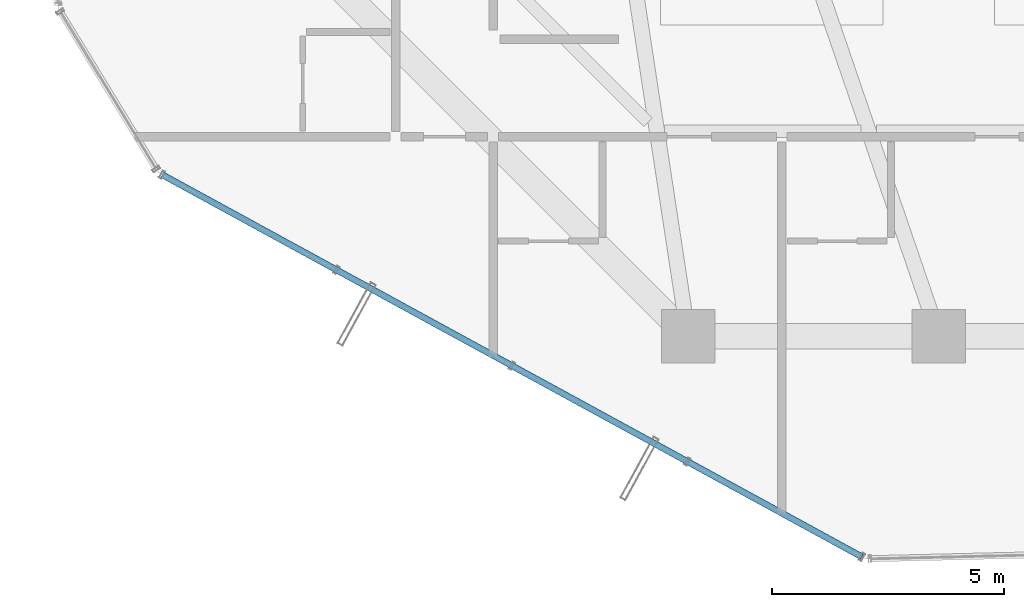
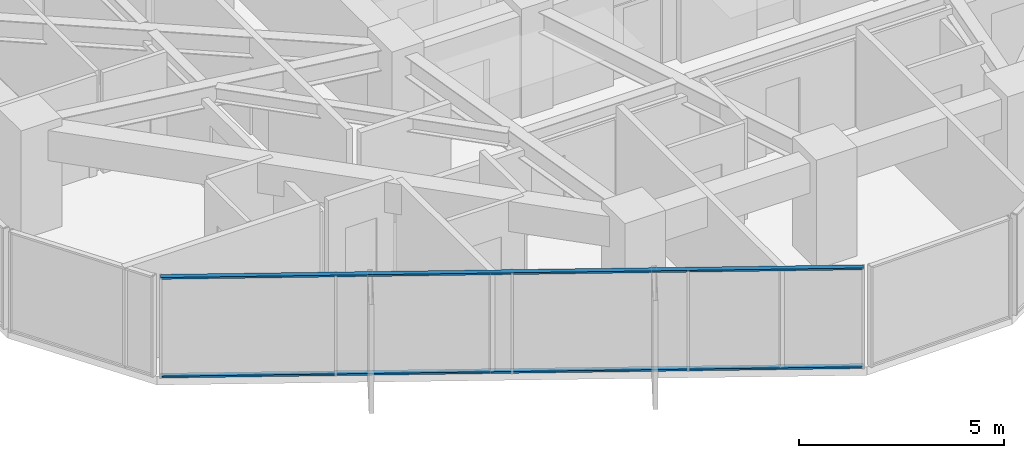
# One storey, part 3 of 31: 2 members, 1 element without a shape of its own.
"""IFC4 building model written with IfcOpenShell, lengths in metres."""

from ifc_helpers import new_model, si_unit, direction, frame, origin, origin_2d, place, context, subcontext, project, spatial, hollow_rectangle, extrude, source, transform, mapped, material, layer, layer_set, material_profile, profile_set, type_object, element, aggregate, save


model = new_model("IFC4")

# Units and contexts
model_context = context("Model", 3, precision=1e-05, world=origin(), true_north=direction((0.0, 1.0)))
body_context = subcontext(model_context, "Body", "Model", "MODEL_VIEW")
ifc_project = project(units=[si_unit("LENGTHUNIT", "METRE"), si_unit("AREAUNIT", "SQUARE_METRE"), si_unit("VOLUMEUNIT", "CUBIC_METRE"), si_unit("PLANEANGLEUNIT", "RADIAN"), si_unit("MASSUNIT", "GRAM", prefix="KILO")], contexts=[model_context])

# Site, building, storey
site_placement = place(None, origin())
site = spatial("IfcSite", under=ifc_project, at=site_placement, CompositionType="ELEMENT")
building_placement = place(site_placement, origin())
building = spatial("IfcBuilding", under=site, at=building_placement, Name="Veraguas Prism Commons", CompositionType="ELEMENT")
storey_placement = place(building_placement, frame((0.0, 0.0, 132.75)))
storey = spatial("IfcBuildingStorey", under=building, at=storey_placement, Name="L37", CompositionType="ELEMENT", Elevation=132.75)

# Curtain wall, members
ifc_material = material(Name="Anodised aluminium EN AW-6063 T6", Category="aluminium")
ifc_layer = layer(ifc_material, 0.169921875, Name="Unitised Flush Curtain Wall Zone 2", Category="aluminium")
ifc_layer_set = layer_set([ifc_layer], Name="Anodised aluminium EN AW-6063 T6")
curtain_wall_type = type_object("IfcCurtainWallType", Name="Unitised Flush Curtain Wall Zone 2", PredefinedType="NOTDEFINED", material=ifc_layer_set)
curtain_wall_placement = place(storey_placement, origin())
curtain_wall = element("IfcCurtainWall", 1, at=curtain_wall_placement, inside=storey, type_object=curtain_wall_type, Name="Tower Facade Curtain Wall L37-F4", PredefinedType="NOTDEFINED")
ifc_material_profile = material_profile(ifc_material, hollow_rectangle(XDim=0.054931640625, YDim=0.135009765625, WallThickness=0.0029296875, at=origin_2d()), Name="AL55X135X3")
ifc_profile_set = profile_set([ifc_material_profile], Name="Anodised aluminium EN AW-6063 T6")
member_type = type_object("IfcMemberType", Name="Curtain Wall Transom Standard AL 55x135x3", PredefinedType="USERDEFINED", material=ifc_profile_set)
shared_shape = source(origin(), body_context, "Body", "SweptSolid", [
    extrude(hollow_rectangle(XDim=0.054931640625, YDim=0.135009765625, WallThickness=0.0029296875, at=origin_2d()), origin(), (0.0, 0.0, 1.0), 17.17431640625),
])
member_1_placement = place(storey_placement, frame((7.269287109375, 11.280517578125, 0.027587890625), z_axis=(0.877643377269, -0.479314200015, 0.0), x_axis=(0.0, 0.0, 1.0)))
member_1 = element("IfcMember", 2, at=member_1_placement, type_object=member_type, Name="CW-Z2 Transom 1", ObjectType="TRANSOM", PredefinedType="USERDEFINED", context=body_context, shape_type="MappedRepresentation", body=[
    mapped(shared_shape, transform((0.0, 0.0, 0.0), scale=1.0)),
])
member_2_placement = place(storey_placement, frame((7.269287109375, 11.280517578125, 2.972412109375), z_axis=(0.877643377269, -0.479314200015, 0.0), x_axis=(0.0, 0.0, 1.0)))
member_2 = element("IfcMember", 3, at=member_2_placement, type_object=member_type, Name="CW-Z2 Transom 2", ObjectType="TRANSOM", PredefinedType="USERDEFINED", context=body_context, shape_type="MappedRepresentation", body=[
    mapped(shared_shape, transform((0.0, 0.0, 0.0), scale=1.0)),
])
aggregate(curtain_wall, [member_1, member_2])

save(model, "model.ifc")
